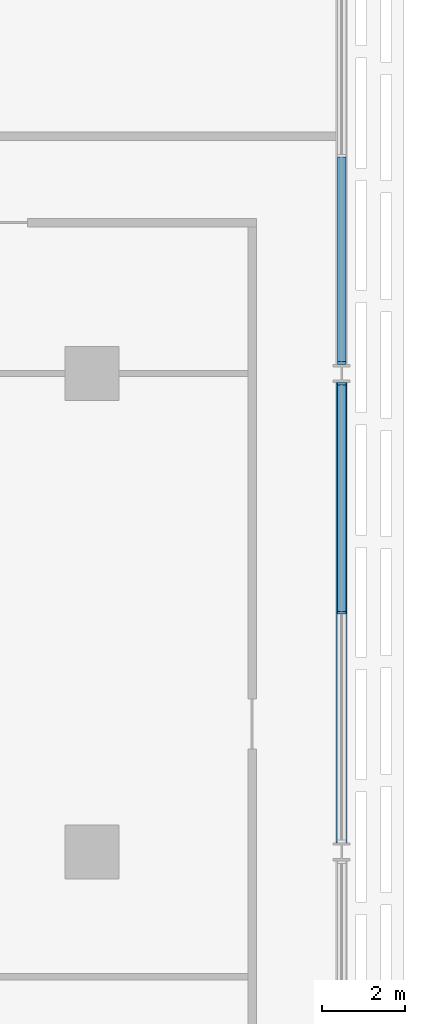
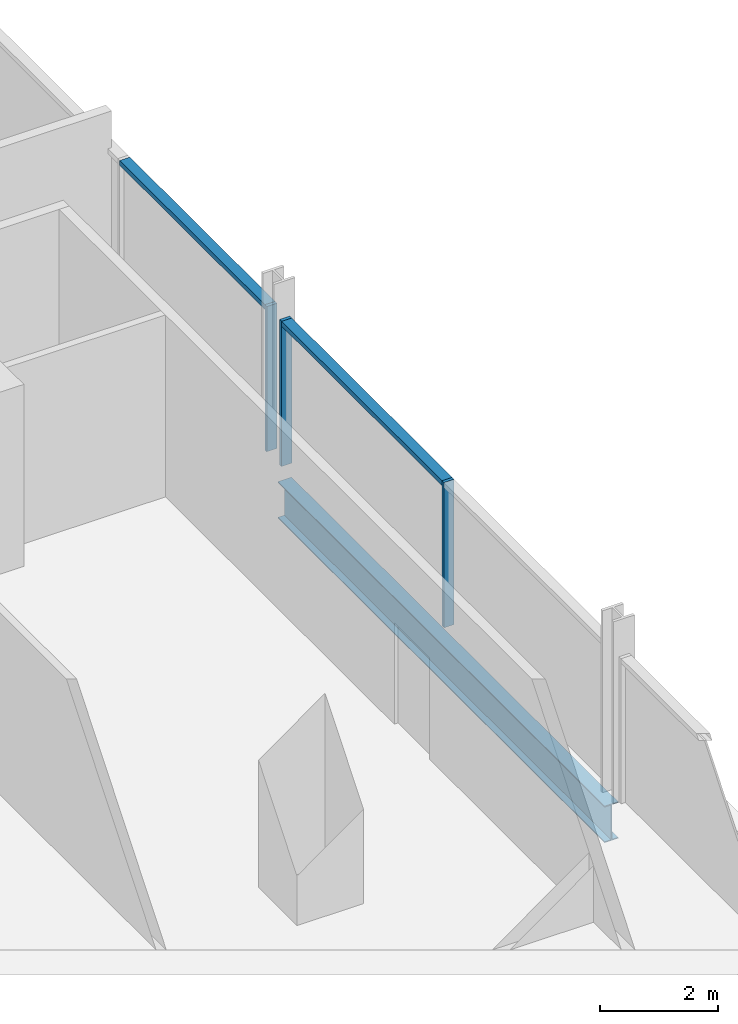
# One storey, part 9 of 29: 5 members, 1 beam, 2 elements without a shape of their own.
"""IFC4 building model written with IfcOpenShell, lengths in metres."""

import ifcopenshell
import ifcopenshell.guid

model = None  # the IFC model being written
_history = None  # IfcOwnerHistory: only IFC2X3 demands one
_inside = {}  # id of a spatial element -> (the spatial element, [elements in it])
_under = {}  # id of a project, library or spatial element -> (it, [spatial elements below it])
_declared = {}  # id of a project -> (the project, [libraries it declares])
_typed = {}  # id of a type object -> (the type object, [elements of that type])
_made_of = {}  # id of a material, layer set ... -> (it, [elements and type objects made of it])


def new_model(schema):
    """Start an empty IFC model of exactly this schema.

    Asked for "IFC4X3", IfcOpenShell would pick the latest addendum, in which some entities
    have other attributes; the version numbers below select the first issue.
    IFC2X3 requires an IfcOwnerHistory on every rooted entity: one is made here for all.
    """
    global model, _history
    if schema == "IFC4X3":
        model = ifcopenshell.file(schema_version=(4, 3, 0, 0))
    else:
        model = ifcopenshell.file(schema=schema)
    _inside.clear()
    _under.clear()
    _declared.clear()
    _typed.clear()
    _made_of.clear()
    _history = None
    if model.schema == "IFC2X3":
        org = make("IfcOrganization", Name="unknown")
        user = make(
            "IfcPersonAndOrganization",
            ThePerson=make("IfcPerson", FamilyName="unknown"),
            TheOrganization=org,
        )
        app = make(
            "IfcApplication",
            ApplicationDeveloper=org,
            Version="unknown",
            ApplicationFullName="unknown",
            ApplicationIdentifier="unknown",
        )
        _history = make(
            "IfcOwnerHistory",
            OwningUser=user,
            OwningApplication=app,
            ChangeAction="ADDED",
            CreationDate=0,
        )
    return model


def make(cls, **values):
    """One entity of the class cls with the attributes given. An attribute that is None is left unset."""
    return model.create_entity(
        cls, **{name: value for name, value in values.items() if value is not None}
    )


def rooted(cls, **values):
    """An entity with a GlobalId (a new one), such as an element, a storey or a relation."""
    return make(cls, GlobalId=ifcopenshell.guid.new(), OwnerHistory=_history, **values)


def si_unit(unit_type, name, prefix=None):
    """IfcSIUnit, for example si_unit("LENGTHUNIT", "METRE", prefix="MILLI")."""
    return make("IfcSIUnit", UnitType=unit_type, Prefix=prefix, Name=name)


def assignment(units):
    """IfcUnitAssignment: the units of a project."""
    return None if units is None else make("IfcUnitAssignment", Units=units)


def point(xyz):
    """IfcCartesianPoint."""
    return None if xyz is None else make("IfcCartesianPoint", Coordinates=xyz)


def direction(xyz):
    """IfcDirection."""
    return None if xyz is None else make("IfcDirection", DirectionRatios=xyz)


def frame(location, z_axis=None, x_axis=None):
    """IfcAxis2Placement3D, a coordinate frame: its origin and axes. An axis left out is left unset."""
    return make(
        "IfcAxis2Placement3D",
        Location=point(location),
        Axis=direction(z_axis),
        RefDirection=direction(x_axis),
    )


def frame_2d(location, x_axis=None):
    """IfcAxis2Placement2D, a coordinate frame in the plane: its origin and x axis."""
    return make(
        "IfcAxis2Placement2D", Location=point(location), RefDirection=direction(x_axis)
    )


def origin():
    """The frame at (0, 0, 0) with its axes left unset."""
    return frame((0.0, 0.0, 0.0))


def origin_2d():
    """The frame at (0, 0) in the plane with its x axis left unset."""
    return frame_2d((0.0, 0.0))


def place(relative_to, where):
    """IfcLocalPlacement: puts the frame where relative to a parent placement (None: the world)."""
    return make(
        "IfcLocalPlacement", PlacementRelTo=relative_to, RelativePlacement=where
    )


def context(
    kind, dimensions, precision=None, world=None, true_north=None, identifier=None
):
    """IfcGeometricRepresentationContext, for example the 3D "Model" context."""
    return make(
        "IfcGeometricRepresentationContext",
        ContextIdentifier=identifier,
        ContextType=kind,
        CoordinateSpaceDimension=dimensions,
        Precision=precision,
        WorldCoordinateSystem=world,
        TrueNorth=true_north,
    )


def subcontext(parent, identifier, kind, view, scale=None):
    """IfcGeometricRepresentationSubContext, for example "Body" below "Model"."""
    return make(
        "IfcGeometricRepresentationSubContext",
        ContextIdentifier=identifier,
        ContextType=kind,
        ParentContext=parent,
        TargetScale=scale,
        TargetView=view,
    )


def project(units=None, contexts=None):
    """IfcProject with its units and contexts."""
    return rooted(
        "IfcProject",
        Name="project",
        RepresentationContexts=contexts,
        UnitsInContext=assignment(units),
    )


def spatial(cls, under=None, at=None, **own):
    """A site, building, storey or space (cls), placed at a placement, below another one or the project."""
    s = rooted(cls, ObjectPlacement=at, **own)
    if under is not None:
        _under.setdefault(under.id(), (under, []))[1].append(s)
    return s


def profile(cls, at=None, kind="AREA", **sizes):
    """A parametric profile (cls). Its sizes go by their IFC names, for example OverallWidth=200.0."""
    return make(cls, ProfileType=kind, Position=at, **sizes)


def rectangle(**sizes):
    """IfcRectangleProfileDef."""
    return profile("IfcRectangleProfileDef", **sizes)


def i_section(**sizes):
    """IfcIShapeProfileDef."""
    return profile("IfcIShapeProfileDef", **sizes)


def extrude(swept, where, along, depth):
    """IfcExtrudedAreaSolid: the profile swept, set in the frame where, extruded along a direction by depth."""
    return make(
        "IfcExtrudedAreaSolid",
        SweptArea=swept,
        Position=where,
        ExtrudedDirection=direction(along),
        Depth=depth,
    )


def shape(context_of_items, identifier, shape_type, items):
    """IfcShapeRepresentation: the items that make up one representation, for example the "Body"."""
    return make(
        "IfcShapeRepresentation",
        ContextOfItems=context_of_items,
        RepresentationIdentifier=identifier,
        RepresentationType=shape_type,
        Items=items,
    )


def material(Name=None, Category=None):
    """IfcMaterial."""
    return make("IfcMaterial", Name=Name, Category=Category)


def material_profile(
    of_material, cross_section, Name=None, Category=None, Priority=None
):
    """IfcMaterialProfile: a cross section and its material."""
    return make(
        "IfcMaterialProfile",
        Name=Name,
        Material=of_material,
        Profile=cross_section,
        Priority=Priority,
        Category=Category,
    )


def profile_set(profiles, Name=None, composite=None):
    """IfcMaterialProfileSet."""
    return make(
        "IfcMaterialProfileSet",
        Name=Name,
        MaterialProfiles=profiles,
        CompositeProfile=composite,
    )


def made_of(thing, what):
    """Note that an element or type object is made of a material, layer set ...; save() writes the relation."""
    if what is not None:
        _made_of.setdefault(what.id(), (what, []))[1].append(thing)
    return thing


def type_object(cls, material=None, **own):
    """A type object (cls), such as IfcWallType, which elements share."""
    return made_of(rooted(cls, **own), material)


def element(
    cls,
    number,
    at=None,
    inside=None,
    cuts=None,
    type_object=None,
    material=None,
    context=None,
    identifier="Body",
    shape_type=None,
    held_by="IfcProductDefinitionShape",
    body=None,
    shapes=None,
    **own,
):
    """One element of the class cls, such as IfcWall. Its Tag is "e" and its number.

    at: its placement. inside: the storey or other place that contains it. cuts: it is an
    opening in that element (IfcRelVoidsElement). A single representation is given by context,
    identifier, shape_type and body (its items); several are given by shapes. held_by: the class
    of the entity that holds the representations. save() writes the other relations.
    """
    e = rooted(cls, Tag="e%d" % number, ObjectPlacement=at, **own)
    if body is not None:
        shapes = [shape(context, identifier, shape_type, body)]
    if shapes is not None:
        e.Representation = make(held_by, Representations=shapes)
    if inside is not None:
        _inside.setdefault(inside.id(), (inside, []))[1].append(e)
    if cuts is not None:
        rooted(
            "IfcRelVoidsElement", RelatingBuildingElement=cuts, RelatedOpeningElement=e
        )
    if type_object is not None:
        _typed.setdefault(type_object.id(), (type_object, []))[1].append(e)
    return made_of(e, material)


def aggregate(whole, parts):
    """IfcRelAggregates: a whole, such as a stair, and the parts it consists of."""
    return rooted("IfcRelAggregates", RelatingObject=whole, RelatedObjects=parts)


def save(model, path):
    """Write the relations noted so far, then the file.

    IfcRelAggregates (storeys below a building ...), IfcRelContainedInSpatialStructure (elements
    in a storey), IfcRelDefinesByType, IfcRelAssociatesMaterial and IfcRelDeclares: one each for
    every whole, place, type object, material and project.
    """
    for whole, parts in _under.values():
        aggregate(whole, parts)
    for where, things in _inside.values():
        rooted(
            "IfcRelContainedInSpatialStructure",
            RelatedElements=things,
            RelatingStructure=where,
        )
    for kind, things in _typed.values():
        rooted("IfcRelDefinesByType", RelatedObjects=things, RelatingType=kind)
    for what, things in _made_of.values():
        rooted("IfcRelAssociatesMaterial", RelatedObjects=things, RelatingMaterial=what)
    for by, libraries in _declared.values():
        rooted("IfcRelDeclares", RelatingContext=by, RelatedDefinitions=libraries)
    model.write(path)


model = new_model("IFC4")

# Units and contexts
model_context = context("Model", 3, precision=1e-05, world=origin(), true_north=direction((0.0, 1.0)))
body_context = subcontext(model_context, "Body", "Model", "MODEL_VIEW")
ifc_project = project(units=[si_unit("LENGTHUNIT", "METRE"), si_unit("AREAUNIT", "SQUARE_METRE"), si_unit("VOLUMEUNIT", "CUBIC_METRE"), si_unit("PLANEANGLEUNIT", "RADIAN"), si_unit("MASSUNIT", "GRAM", prefix="KILO")], contexts=[model_context])

# Site, building, storey
site_placement = place(None, origin())
site = spatial("IfcSite", under=ifc_project, at=site_placement, CompositionType="ELEMENT")
building_placement = place(site_placement, origin())
building = spatial("IfcBuilding", under=site, at=building_placement, Name="Mahtab Terrace Research Tower", CompositionType="ELEMENT")
storey_placement = place(building_placement, frame((0.0, 0.0, 146.60009765625)))
storey = spatial("IfcBuildingStorey", under=building, at=storey_placement, Name="L34", CompositionType="ELEMENT", Elevation=146.60009765625)

# Curtain wall, members
ifc_material_1 = material(Name="Laboratory ribbon curtain wall")
curtain_wall_type = type_object("IfcCurtainWallType", Name="Laboratory ribbon curtain wall", PredefinedType="NOTDEFINED", material=ifc_material_1)
curtain_wall_1_placement = place(storey_placement, origin())
curtain_wall_1 = element("IfcCurtainWall", 1, at=curtain_wall_1_placement, inside=storey, type_object=curtain_wall_type, Name="EN.L34.18.37", PredefinedType="NOTDEFINED")
ifc_material_2 = material(Name="Natural anodised aluminium", Category="aluminium")
ifc_material_profile_1 = material_profile(ifc_material_2, rectangle(XDim=0.199951171875, YDim=0.06494140625, at=origin_2d()), Name="MULLION 65x200")
ifc_profile_set_1 = profile_set([ifc_material_profile_1], Name="Natural anodised aluminium")
member_type_1 = type_object("IfcMemberType", Name="Laboratory ribbon curtain wall mullion", PredefinedType="MULLION", material=ifc_profile_set_1)
member_1_placement = place(storey_placement, frame((48.0, 5.75, 0.0), z_axis=(0.0, 0.0, 1.0), x_axis=(-1.0, 0.0, 0.0)))
member_1 = element("IfcMember", 2, at=member_1_placement, type_object=member_type_1, Name="CWL-4 mullion 2", PredefinedType="MULLION", context=body_context, shape_type="SweptSolid", body=[
    extrude(rectangle(XDim=0.199951171875, YDim=0.06494140625, at=origin_2d()), origin(), (0.0, 0.0, 1.0), 3.0029296875),
])
member_2_placement = place(storey_placement, frame((48.0, 11.24951171875, 0.0), z_axis=(0.0, 0.0, 1.0), x_axis=(-1.0, 0.0, 0.0)))
member_2 = element("IfcMember", 3, at=member_2_placement, type_object=member_type_1, Name="CWL-4 mullion 3", PredefinedType="MULLION", context=body_context, shape_type="SweptSolid", body=[
    extrude(rectangle(XDim=0.199951171875, YDim=0.06494140625, at=origin_2d()), origin(), (0.0, 0.0, 1.0), 3.0029296875),
])

# Curtain wall, member
curtain_wall_2_placement = place(storey_placement, origin())
curtain_wall_2 = element("IfcCurtainWall", 4, at=curtain_wall_2_placement, inside=storey, type_object=curtain_wall_type, Name="EN.L34.18.38", PredefinedType="NOTDEFINED")
member_3_placement = place(storey_placement, frame((48.0, 11.75048828125, 0.0), z_axis=(0.0, 0.0, 1.0), x_axis=(-1.0, 0.0, 0.0)))
member_3 = element("IfcMember", 5, at=member_3_placement, type_object=member_type_1, Name="CWL-4 mullion 1", PredefinedType="MULLION", context=body_context, shape_type="SweptSolid", body=[
    extrude(rectangle(XDim=0.199951171875, YDim=0.06494140625, at=origin_2d()), origin(), (0.0, 0.0, 1.0), 3.0029296875),
])

# Member
ifc_material_profile_2 = material_profile(ifc_material_2, rectangle(XDim=0.199951171875, YDim=0.10009765625, at=origin_2d()), Name="TRANSOM 100x200")
ifc_profile_set_2 = profile_set([ifc_material_profile_2], Name="Natural anodised aluminium")
member_type_2 = type_object("IfcMemberType", Name="Laboratory ribbon curtain wall transom", PredefinedType="USERDEFINED", material=ifc_profile_set_2)
member_4_placement = place(storey_placement, frame((48.0, 5.782470703125, 2.952880859375), z_axis=(0.0, 1.0, 0.0), x_axis=(-1.0, 0.0, 0.0)))
member_4 = element("IfcMember", 6, at=member_4_placement, type_object=member_type_2, Name="CWL-4 transom 2", ObjectType="TRANSOM", PredefinedType="USERDEFINED", context=body_context, shape_type="SweptSolid", body=[
    extrude(rectangle(XDim=0.199951171875, YDim=0.10009765625, at=origin_2d()), origin(), (0.0, 0.0, 1.0), 5.4345703125),
])

aggregate(curtain_wall_1, [member_1, member_2, member_4])

member_5_placement = place(storey_placement, frame((48.0, 11.782958984375, 2.952880859375), z_axis=(0.0, 1.0, 0.0), x_axis=(-1.0, 0.0, 0.0)))
member_5 = element("IfcMember", 7, at=member_5_placement, type_object=member_type_2, Name="CWL-4 transom 1", ObjectType="TRANSOM", PredefinedType="USERDEFINED", context=body_context, shape_type="SweptSolid", body=[
    extrude(rectangle(XDim=0.199951171875, YDim=0.10009765625, at=origin_2d()), origin(), (0.0, 0.0, 1.0), 4.91552734375),
])

aggregate(curtain_wall_2, [member_3, member_5])

# Beam
ifc_material_3 = material(Name="Steel ASTM A992 Gr 50", Category="steel")
ifc_material_profile_3 = material_profile(ifc_material_3, i_section(OverallWidth=0.2666015625, OverallDepth=0.7568359375, WebThickness=0.013916015625, FlangeThickness=0.019287109375, at=origin_2d()), Name="W30X108")
ifc_profile_set_3 = profile_set([ifc_material_profile_3], Name="Steel ASTM A992 Gr 50")
beam_type = type_object("IfcBeamType", Name="W30x108 beam BS30108", PredefinedType="BEAM", material=ifc_profile_set_3)
beam_placement = place(storey_placement, frame((48.0, 0.217041015625, -0.718505859375), z_axis=(0.0, 1.0, 0.0), x_axis=(-1.0, 0.0, 0.0)))
element("IfcBeam", 8, at=beam_placement, inside=storey, type_object=beam_type, Name="Spandrel beam L34 23", PredefinedType="BEAM", context=body_context, shape_type="SweptSolid", body=[
    extrude(i_section(OverallWidth=0.2666015625, OverallDepth=0.7568359375, WebThickness=0.013916015625, FlangeThickness=0.019287109375, at=origin_2d()), origin(), (0.0, 0.0, 1.0), 11.06591796875),
])

save(model, "model.ifc")
